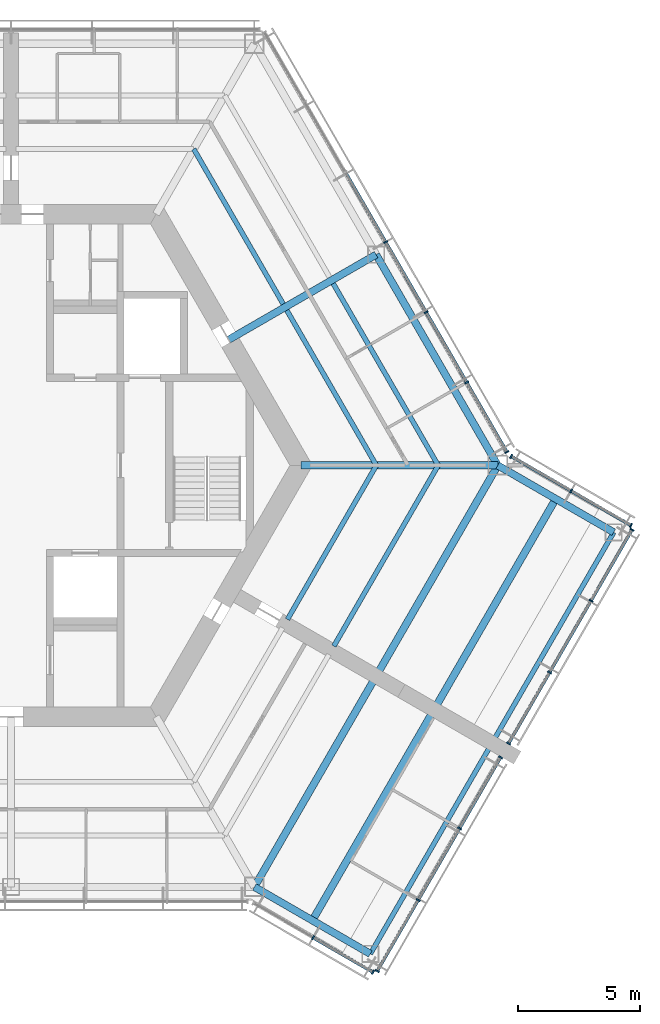
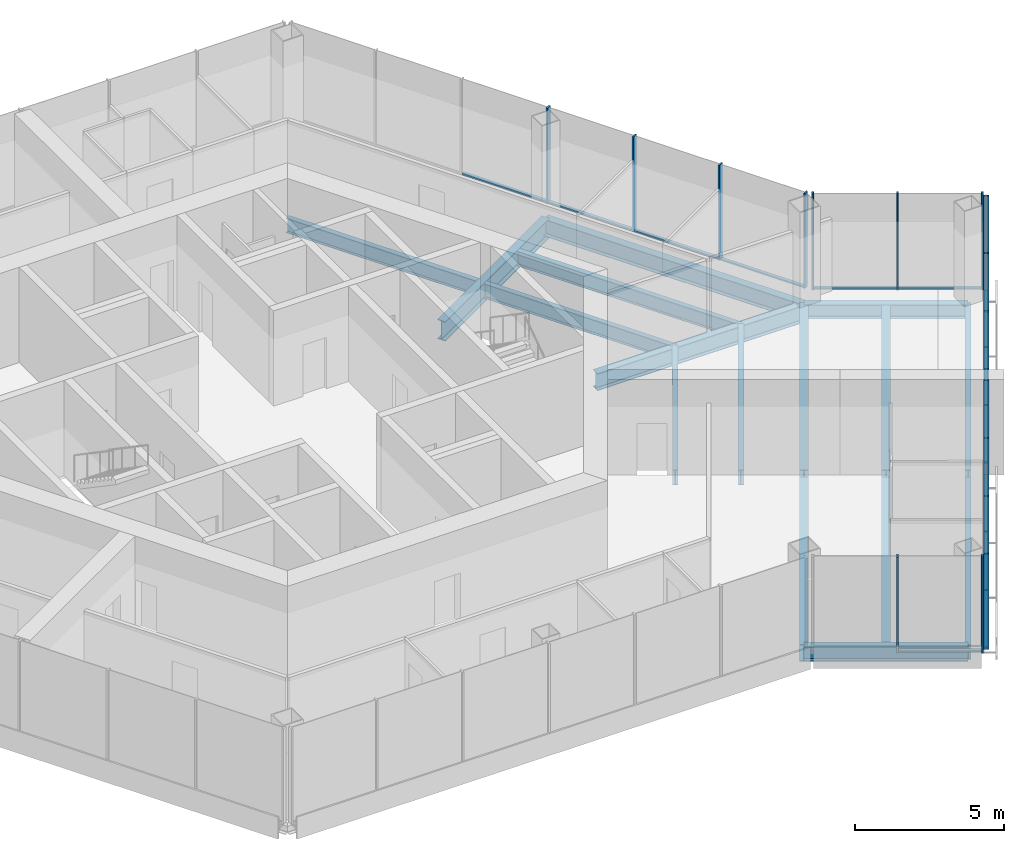
# One storey, part 4 of 13: 30 members, 16 beams, 5 elements without a shape of their own.
"""IFC4 building model written with IfcOpenShell, lengths in metres."""

from ifc_helpers import new_model, si_unit, direction, frame, origin, origin_2d, place, context, subcontext, project, spatial, rectangle, i_section, extrude, material, material_profile, profile_set, type_object, element, aggregate, save


model = new_model("IFC4")

# Units and contexts
model_context = context("Model", 3, precision=1e-05, world=origin(), true_north=direction((0.0, 1.0)))
body_context = subcontext(model_context, "Body", "Model", "MODEL_VIEW")
ifc_project = project(units=[si_unit("LENGTHUNIT", "METRE"), si_unit("AREAUNIT", "SQUARE_METRE"), si_unit("VOLUMEUNIT", "CUBIC_METRE"), si_unit("PLANEANGLEUNIT", "RADIAN"), si_unit("MASSUNIT", "GRAM", prefix="KILO")], contexts=[model_context])

# Site, building, storey
site_placement = place(None, origin())
site = spatial("IfcSite", under=ifc_project, at=site_placement, CompositionType="ELEMENT")
building_placement = place(site_placement, origin())
building = spatial("IfcBuilding", under=site, at=building_placement, Name="Kasaneha Research Tower", CompositionType="ELEMENT")
storey_placement = place(building_placement, frame((0.0, 0.0, 286.89990234375)))
storey = spatial("IfcBuildingStorey", under=building, at=storey_placement, Name="L72", CompositionType="ELEMENT", Elevation=286.89990234375)

# Beams
ifc_material_1 = material(Name="Steel SN490B", Category="steel")
ifc_material_profile_1 = material_profile(ifc_material_1, i_section(OverallWidth=0.199951171875, OverallDepth=0.60009765625, WebThickness=0.010986328125, FlangeThickness=0.01708984375, FilletRadius=0.012939453125, at=origin_2d()), Name="H-600x200x11x17")
ifc_profile_set_1 = profile_set([ifc_material_profile_1], Name="Steel SN490B")
beam_type_1 = type_object("IfcBeamType", Name="B1-3 secondary beam H-600x200x11x17", PredefinedType="JOIST", material=ifc_profile_set_1)
beam_1_placement = place(storey_placement, frame((15.010986328125, 0.0, -0.449951171875), z_axis=(-0.499994443168, 0.866028611999, 0.0), x_axis=(-0.866028611999, -0.499994443168, 0.0)))
element("IfcBeam", 1, at=beam_1_placement, inside=storey, type_object=beam_type_1, Name="Secondary beam RS030L1 L72", PredefinedType="JOIST", context=body_context, shape_type="SweptSolid", body=[
    extrude(i_section(OverallWidth=0.199951171875, OverallDepth=0.60009765625, WebThickness=0.010986328125, FlangeThickness=0.01708984375, FilletRadius=0.012939453125, at=origin_2d()), origin(), (0.0, 0.0, 1.0), 7.35546875),
])
beam_2_placement = place(storey_placement, frame((17.551513671875, 0.0, -0.449951171875), z_axis=(-0.5000050195, 0.866022505755, 0.0), x_axis=(-0.866022505755, -0.5000050195, 0.0)))
element("IfcBeam", 2, at=beam_2_placement, inside=storey, type_object=beam_type_1, Name="Secondary beam RS030L2 L72", PredefinedType="JOIST", context=body_context, shape_type="SweptSolid", body=[
    extrude(i_section(OverallWidth=0.199951171875, OverallDepth=0.60009765625, WebThickness=0.010986328125, FlangeThickness=0.01708984375, FilletRadius=0.012939453125, at=origin_2d()), origin(), (0.0, 0.0, 1.0), 8.6259765625),
])
beam_3_placement = place(storey_placement, frame((7.505615234375, 13.0, -0.449951171875), z_axis=(0.499994443168, -0.866028611999, 0.0), x_axis=(0.866028611999, 0.499994443168, 0.0)))
element("IfcBeam", 3, at=beam_3_placement, inside=storey, type_object=beam_type_1, Name="Secondary beam RS030R1 L72", PredefinedType="JOIST", context=body_context, shape_type="SweptSolid", body=[
    extrude(i_section(OverallWidth=0.199951171875, OverallDepth=0.60009765625, WebThickness=0.010986328125, FlangeThickness=0.01708984375, FilletRadius=0.012939453125, at=origin_2d()), origin(), (0.0, 0.0, 1.0), 7.35546875),
])
beam_4_placement = place(storey_placement, frame((15.010986328125, 0.0, -0.449951171875), z_axis=(-0.499974128195, -0.866040340363, 0.0), x_axis=(0.866040340363, -0.499974128195, 0.0)))
element("IfcBeam", 4, at=beam_4_placement, inside=storey, type_object=beam_type_1, Name="Secondary beam RS330R1 L72", PredefinedType="JOIST", context=body_context, shape_type="SweptSolid", body=[
    extrude(i_section(OverallWidth=0.199951171875, OverallDepth=0.60009765625, WebThickness=0.010986328125, FlangeThickness=0.01708984375, FilletRadius=0.012939453125, at=origin_2d()), origin(), (0.0, 0.0, 1.0), 7.3056640625),
])
beam_5_placement = place(storey_placement, frame((17.551513671875, 0.0, -0.449951171875), z_axis=(-0.500000102728, -0.866025344474, 0.0), x_axis=(0.866025344474, -0.500000102728, 0.0)))
element("IfcBeam", 5, at=beam_5_placement, inside=storey, type_object=beam_type_1, Name="Secondary beam RS330R2 L72", PredefinedType="JOIST", context=body_context, shape_type="SweptSolid", body=[
    extrude(i_section(OverallWidth=0.199951171875, OverallDepth=0.60009765625, WebThickness=0.010986328125, FlangeThickness=0.01708984375, FilletRadius=0.012939453125, at=origin_2d()), origin(), (0.0, 0.0, 1.0), 8.57568359375),
])
ifc_material_2 = material(Name="Steel SN490B", Category="steel")
ifc_material_profile_2 = material_profile(ifc_material_2, i_section(OverallWidth=0.300048828125, OverallDepth=0.58203125, WebThickness=0.011962890625, FlangeThickness=0.01708984375, FilletRadius=0.012939453125, at=origin_2d()), Name="H-582x300x12x17")
ifc_profile_set_2 = profile_set([ifc_material_profile_2], Name="Steel SN490B")
beam_type_2 = type_object("IfcBeamType", Name="B2-3 secondary beam H-582x300x12x17", PredefinedType="JOIST", material=ifc_profile_set_2)
for number, where, z_axis, x_axis, name in (
    (6, (12.381591796875, -18.695556640625, -0.44091796875), (0.49999201416, 0.866030014362, 0.0), (-0.866030014362, 0.49999201416, 0.0), "Secondary beam WBCP1 L72"),
    (7, (22.381591796875, -1.375, -0.44091796875), (-0.49999201416, -0.866030014362, 0.0), (0.866030014362, -0.49999201416, 0.0), "Secondary beam WBCN1 L72"),
):
    element("IfcBeam", number, at=place(storey_placement, frame(where, z_axis=z_axis, x_axis=x_axis)), inside=storey, type_object=beam_type_2, Name=name, PredefinedType="JOIST", context=body_context, shape_type="SweptSolid", body=[
        extrude(i_section(OverallWidth=0.300048828125, OverallDepth=0.58203125, WebThickness=0.011962890625, FlangeThickness=0.01708984375, FilletRadius=0.012939453125, at=origin_2d()), origin(), (0.0, 0.0, 1.0), 9.800048828125),
    ])

# Curtain wall, members
ifc_material_3 = material(Name="Glass and aluminium", Category="aluminium")
curtain_wall_type = type_object("IfcCurtainWallType", Name="Crown curtain wall", PredefinedType="USERDEFINED", material=ifc_material_3)
curtain_wall_1_placement = place(storey_placement, origin())
curtain_wall_1 = element("IfcCurtainWall", 8, at=curtain_wall_1_placement, inside=storey, type_object=curtain_wall_type, Name="CW-C L72 run 01a", ObjectType="UNITISED CURTAIN WALL", PredefinedType="USERDEFINED")
ifc_material_4 = material(Name="Aluminium 6063-T6", Category="aluminium")
ifc_material_profile_3 = material_profile(ifc_material_4, rectangle(XDim=0.06005859375, YDim=0.179931640625, at=origin_2d()), Name="CW-C mullion 60x180")
ifc_profile_set_3 = profile_set([ifc_material_profile_3], Name="Aluminium 6063-T6")
member_type_1 = type_object("IfcMemberType", Name="CW-C mullion", PredefinedType="MULLION", material=ifc_profile_set_3)
member_1_placement = place(storey_placement, frame((20.374267578125, 0.5517578125, 0.0), z_axis=(0.0, 0.0, 1.0), x_axis=(-0.499999979232, 0.866025415775, 0.0)))
member_1 = element("IfcMember", 9, at=member_1_placement, type_object=member_type_1, Name="CW-C mullion 1", PredefinedType="MULLION", context=body_context, shape_type="SweptSolid", body=[
    extrude(rectangle(XDim=0.06005859375, YDim=0.179931640625, at=origin_2d()), origin(), (0.0, 0.0, 1.0), 3.900146484375),
])
member_2_placement = place(storey_placement, frame((18.723876953125, 3.410400390625, 0.0), z_axis=(0.0, 0.0, 1.0), x_axis=(-0.499999979232, 0.866025415775, 0.0)))
member_2 = element("IfcMember", 10, at=member_2_placement, type_object=member_type_1, Name="CW-C mullion 2", PredefinedType="MULLION", context=body_context, shape_type="SweptSolid", body=[
    extrude(rectangle(XDim=0.06005859375, YDim=0.179931640625, at=origin_2d()), origin(), (0.0, 0.0, 1.0), 3.900146484375),
])
member_3_placement = place(storey_placement, frame((17.058349609375, 6.295166015625, 0.0), z_axis=(0.0, 0.0, 1.0), x_axis=(-0.499999979232, 0.866025415775, 0.0)))
member_3 = element("IfcMember", 11, at=member_3_placement, type_object=member_type_1, Name="CW-C mullion 3", PredefinedType="MULLION", context=body_context, shape_type="SweptSolid", body=[
    extrude(rectangle(XDim=0.06005859375, YDim=0.179931640625, at=origin_2d()), origin(), (0.0, 0.0, 1.0), 3.900146484375),
])
member_4_placement = place(storey_placement, frame((15.392822265625, 9.179931640625, 0.0), z_axis=(0.0, 0.0, 1.0), x_axis=(-0.499999979232, 0.866025415775, 0.0)))
member_4 = element("IfcMember", 12, at=member_4_placement, type_object=member_type_1, Name="CW-C mullion 4", PredefinedType="MULLION", context=body_context, shape_type="SweptSolid", body=[
    extrude(rectangle(XDim=0.06005859375, YDim=0.179931640625, at=origin_2d()), origin(), (0.0, 0.0, 1.0), 3.900146484375),
])

curtain_wall_2_placement = place(storey_placement, origin())
curtain_wall_2 = element("IfcCurtainWall", 13, at=curtain_wall_2_placement, inside=storey, type_object=curtain_wall_type, Name="CW-C L72 run 06a", ObjectType="UNITISED CURTAIN WALL", PredefinedType="USERDEFINED")
member_5_placement = place(storey_placement, frame((12.410888671875, -19.4052734375, 0.0), z_axis=(0.0, 0.0, 1.0), x_axis=(0.866025443395, -0.499999931393, 0.0)))
member_5 = element("IfcMember", 14, at=member_5_placement, type_object=member_type_1, Name="CW-C mullion 2", PredefinedType="MULLION", context=body_context, shape_type="SweptSolid", body=[
    extrude(rectangle(XDim=0.06005859375, YDim=0.179931640625, at=origin_2d()), origin(), (0.0, 0.0, 1.0), 3.900146484375),
])
member_6_placement = place(storey_placement, frame((14.8701171875, -20.8251953125, 0.0), z_axis=(0.0, 0.0, 1.0), x_axis=(0.866025443395, -0.499999931393, 0.0)))
member_6 = element("IfcMember", 15, at=member_6_placement, type_object=member_type_1, Name="CW-C mullion 3", PredefinedType="MULLION", context=body_context, shape_type="SweptSolid", body=[
    extrude(rectangle(XDim=0.06005859375, YDim=0.179931640625, at=origin_2d()), origin(), (0.0, 0.0, 1.0), 3.900146484375),
])

curtain_wall_3_placement = place(storey_placement, origin())
curtain_wall_3 = element("IfcCurtainWall", 16, at=curtain_wall_3_placement, inside=storey, type_object=curtain_wall_type, Name="CW-C L72 run 07a", ObjectType="UNITISED CURTAIN WALL", PredefinedType="USERDEFINED")
member_7_placement = place(storey_placement, frame((15.0478515625, -20.777587890625, 0.0), z_axis=(0.0, 0.0, 1.0), x_axis=(0.500000011442, 0.866025397178, 0.0)))
member_7 = element("IfcMember", 17, at=member_7_placement, type_object=member_type_1, Name="CW-C mullion 1", PredefinedType="MULLION", context=body_context, shape_type="SweptSolid", body=[
    extrude(rectangle(XDim=0.06005859375, YDim=0.179931640625, at=origin_2d()), origin(), (0.0, 0.0, 1.0), 3.900146484375),
])
member_8_placement = place(storey_placement, frame((16.732666015625, -17.859130859375, 0.0), z_axis=(0.0, 0.0, 1.0), x_axis=(0.500000011442, 0.866025397178, 0.0)))
member_8 = element("IfcMember", 18, at=member_8_placement, type_object=member_type_1, Name="CW-C mullion 2", PredefinedType="MULLION", context=body_context, shape_type="SweptSolid", body=[
    extrude(rectangle(XDim=0.06005859375, YDim=0.179931640625, at=origin_2d()), origin(), (0.0, 0.0, 1.0), 3.900146484375),
])
member_9_placement = place(storey_placement, frame((18.432861328125, -14.91455078125, 0.0), z_axis=(0.0, 0.0, 1.0), x_axis=(0.500000011442, 0.866025397178, 0.0)))
member_9 = element("IfcMember", 19, at=member_9_placement, type_object=member_type_1, Name="CW-C mullion 3", PredefinedType="MULLION", context=body_context, shape_type="SweptSolid", body=[
    extrude(rectangle(XDim=0.06005859375, YDim=0.179931640625, at=origin_2d()), origin(), (0.0, 0.0, 1.0), 3.900146484375),
])
member_10_placement = place(storey_placement, frame((20.11767578125, -11.99609375, 0.0), z_axis=(0.0, 0.0, 1.0), x_axis=(0.500000011442, 0.866025397178, 0.0)))
member_10 = element("IfcMember", 20, at=member_10_placement, type_object=member_type_1, Name="CW-C mullion 4", PredefinedType="MULLION", context=body_context, shape_type="SweptSolid", body=[
    extrude(rectangle(XDim=0.06005859375, YDim=0.179931640625, at=origin_2d()), origin(), (0.0, 0.0, 1.0), 3.900146484375),
])

curtain_wall_4_placement = place(storey_placement, origin())
curtain_wall_4 = element("IfcCurtainWall", 21, at=curtain_wall_4_placement, inside=storey, type_object=curtain_wall_type, Name="CW-C L72 run 08a", ObjectType="UNITISED CURTAIN WALL", PredefinedType="USERDEFINED")
member_11_placement = place(storey_placement, frame((20.44775390625, -11.424560546875, 0.0), z_axis=(0.0, 0.0, 1.0), x_axis=(0.500000011442, 0.866025397178, 0.0)))
member_11 = element("IfcMember", 22, at=member_11_placement, type_object=member_type_1, Name="CW-C mullion 1", PredefinedType="MULLION", context=body_context, shape_type="SweptSolid", body=[
    extrude(rectangle(XDim=0.06005859375, YDim=0.179931640625, at=origin_2d()), origin(), (0.0, 0.0, 1.0), 3.900146484375),
])
member_12_placement = place(storey_placement, frame((22.1328125, -8.505859375, 0.0), z_axis=(0.0, 0.0, 1.0), x_axis=(0.500000011442, 0.866025397178, 0.0)))
member_12 = element("IfcMember", 23, at=member_12_placement, type_object=member_type_1, Name="CW-C mullion 2", PredefinedType="MULLION", context=body_context, shape_type="SweptSolid", body=[
    extrude(rectangle(XDim=0.06005859375, YDim=0.179931640625, at=origin_2d()), origin(), (0.0, 0.0, 1.0), 3.900146484375),
])
member_13_placement = place(storey_placement, frame((23.832763671875, -5.5615234375, 0.0), z_axis=(0.0, 0.0, 1.0), x_axis=(0.500000011442, 0.866025397178, 0.0)))
member_13 = element("IfcMember", 24, at=member_13_placement, type_object=member_type_1, Name="CW-C mullion 3", PredefinedType="MULLION", context=body_context, shape_type="SweptSolid", body=[
    extrude(rectangle(XDim=0.06005859375, YDim=0.179931640625, at=origin_2d()), origin(), (0.0, 0.0, 1.0), 3.900146484375),
])
member_14_placement = place(storey_placement, frame((25.517822265625, -2.64306640625, 0.0), z_axis=(0.0, 0.0, 1.0), x_axis=(0.500000011442, 0.866025397178, 0.0)))
member_14 = element("IfcMember", 25, at=member_14_placement, type_object=member_type_1, Name="CW-C mullion 4", PredefinedType="MULLION", context=body_context, shape_type="SweptSolid", body=[
    extrude(rectangle(XDim=0.06005859375, YDim=0.179931640625, at=origin_2d()), origin(), (0.0, 0.0, 1.0), 3.900146484375),
])

curtain_wall_5_placement = place(storey_placement, origin())
curtain_wall_5 = element("IfcCurtainWall", 26, at=curtain_wall_5_placement, inside=storey, type_object=curtain_wall_type, Name="CW-C L72 run 09a", ObjectType="UNITISED CURTAIN WALL", PredefinedType="USERDEFINED")
member_15_placement = place(storey_placement, frame((25.47021484375, -2.46533203125, 0.0), z_axis=(0.0, 0.0, 1.0), x_axis=(-0.866025443395, 0.499999931393, 0.0)))
member_15 = element("IfcMember", 27, at=member_15_placement, type_object=member_type_1, Name="CW-C mullion 1", PredefinedType="MULLION", context=body_context, shape_type="SweptSolid", body=[
    extrude(rectangle(XDim=0.06005859375, YDim=0.179931640625, at=origin_2d()), origin(), (0.0, 0.0, 1.0), 3.900146484375),
])
member_16_placement = place(storey_placement, frame((23.010986328125, -1.045654296875, 0.0), z_axis=(0.0, 0.0, 1.0), x_axis=(-0.866025443395, 0.499999931393, 0.0)))
member_16 = element("IfcMember", 28, at=member_16_placement, type_object=member_type_1, Name="CW-C mullion 2", PredefinedType="MULLION", context=body_context, shape_type="SweptSolid", body=[
    extrude(rectangle(XDim=0.06005859375, YDim=0.179931640625, at=origin_2d()), origin(), (0.0, 0.0, 1.0), 3.900146484375),
])
member_17_placement = place(storey_placement, frame((20.5517578125, 0.374267578125, 0.0), z_axis=(0.0, 0.0, 1.0), x_axis=(-0.866025443395, 0.499999931393, 0.0)))
member_17 = element("IfcMember", 29, at=member_17_placement, type_object=member_type_1, Name="CW-C mullion 3", PredefinedType="MULLION", context=body_context, shape_type="SweptSolid", body=[
    extrude(rectangle(XDim=0.06005859375, YDim=0.179931640625, at=origin_2d()), origin(), (0.0, 0.0, 1.0), 3.900146484375),
])

# Member
ifc_material_5 = material(Name="Aluminium 6063-T6", Category="aluminium")
ifc_material_profile_4 = material_profile(ifc_material_5, rectangle(XDim=0.1298828125, YDim=0.06005859375, at=origin_2d()), Name="CW-C transom 130x60")
ifc_profile_set_4 = profile_set([ifc_material_profile_4], Name="Aluminium 6063-T6")
member_type_2 = type_object("IfcMemberType", Name="CW-C transom", PredefinedType="USERDEFINED", material=ifc_profile_set_4)
member_18_placement = place(storey_placement, frame((20.359130859375, 0.577880859375, 0.030029296875), z_axis=(-0.499987643696, 0.866032537582, 0.0), x_axis=(-0.866032537582, -0.499987643696, 0.0)))
member_18 = element("IfcMember", 30, at=member_18_placement, type_object=member_type_2, Name="CW-C transom 1", ObjectType="TRANSOM", PredefinedType="USERDEFINED", context=body_context, shape_type="SweptSolid", body=[
    extrude(rectangle(XDim=0.1298828125, YDim=0.06005859375, at=origin_2d()), origin(), (0.0, 0.0, 1.0), 3.24072265625),
])

member_19_placement = place(storey_placement, frame((18.708740234375, 3.4365234375, 0.030029296875), z_axis=(-0.500000270186, 0.866025247793, 0.0), x_axis=(-0.866025247793, -0.500000270186, 0.0)))
member_19 = element("IfcMember", 31, at=member_19_placement, type_object=member_type_2, Name="CW-C transom 2", ObjectType="TRANSOM", PredefinedType="USERDEFINED", context=body_context, shape_type="SweptSolid", body=[
    extrude(rectangle(XDim=0.1298828125, YDim=0.06005859375, at=origin_2d()), origin(), (0.0, 0.0, 1.0), 3.27099609375),
])

member_20_placement = place(storey_placement, frame((17.043212890625, 6.3212890625, 0.030029296875), z_axis=(-0.50003259116, 0.866006586452, 0.0), x_axis=(-0.866006586452, -0.50003259116, 0.0)))
member_20 = element("IfcMember", 32, at=member_20_placement, type_object=member_type_2, Name="CW-C transom 3", ObjectType="TRANSOM", PredefinedType="USERDEFINED", context=body_context, shape_type="SweptSolid", body=[
    extrude(rectangle(XDim=0.1298828125, YDim=0.06005859375, at=origin_2d()), origin(), (0.0, 0.0, 1.0), 3.270751953125),
])

member_21_placement = place(storey_placement, frame((15.3779296875, 9.205810546875, 0.030029296875), z_axis=(-0.500000270186, 0.866025247793, 0.0), x_axis=(-0.866025247793, -0.500000270186, 0.0)))
member_21 = element("IfcMember", 33, at=member_21_placement, type_object=member_type_2, Name="CW-C transom 4", ObjectType="TRANSOM", PredefinedType="USERDEFINED", context=body_context, shape_type="SweptSolid", body=[
    extrude(rectangle(XDim=0.1298828125, YDim=0.06005859375, at=origin_2d()), origin(), (0.0, 0.0, 1.0), 3.27099609375),
])

aggregate(curtain_wall_1, [member_1, member_2, member_3, member_4, member_18, member_19, member_20, member_21])

member_22_placement = place(storey_placement, frame((12.43701171875, -19.42041015625, 0.030029296875), z_axis=(0.866051024128, -0.499955621637, 0.0), x_axis=(0.499955621637, 0.866051024128, 0.0)))
member_22 = element("IfcMember", 34, at=member_22_placement, type_object=member_type_2, Name="CW-C transom 2", ObjectType="TRANSOM", PredefinedType="USERDEFINED", context=body_context, shape_type="SweptSolid", body=[
    extrude(rectangle(XDim=0.1298828125, YDim=0.06005859375, at=origin_2d()), origin(), (0.0, 0.0, 1.0), 2.779541015625),
])

aggregate(curtain_wall_2, [member_5, member_6, member_22])

member_23_placement = place(storey_placement, frame((15.062744140625, -20.75146484375, 0.030029296875), z_axis=(0.500018282537, 0.866014848099, 0.0), x_axis=(-0.866014848099, 0.500018282537, 0.0)))
member_23 = element("IfcMember", 35, at=member_23_placement, type_object=member_type_2, Name="CW-C transom 1", ObjectType="TRANSOM", PredefinedType="USERDEFINED", context=body_context, shape_type="SweptSolid", body=[
    extrude(rectangle(XDim=0.1298828125, YDim=0.06005859375, at=origin_2d()), origin(), (0.0, 0.0, 1.0), 3.31005859375),
])

member_24_placement = place(storey_placement, frame((16.747802734375, -17.8330078125, 0.030029296875), z_axis=(0.499975549825, 0.866039519639, 0.0), x_axis=(-0.866039519639, 0.499975549825, 0.0)))
member_24 = element("IfcMember", 36, at=member_24_placement, type_object=member_type_2, Name="CW-C transom 2", ObjectType="TRANSOM", PredefinedType="USERDEFINED", context=body_context, shape_type="SweptSolid", body=[
    extrude(rectangle(XDim=0.1298828125, YDim=0.06005859375, at=origin_2d()), origin(), (0.0, 0.0, 1.0), 3.340087890625),
])

member_25_placement = place(storey_placement, frame((18.44775390625, -14.888671875, 0.030029296875), z_axis=(0.49998634449, 0.866033287653, 0.0), x_axis=(-0.866033287653, 0.49998634449, 0.0)))
member_25 = element("IfcMember", 37, at=member_25_placement, type_object=member_type_2, Name="CW-C transom 3", ObjectType="TRANSOM", PredefinedType="USERDEFINED", context=body_context, shape_type="SweptSolid", body=[
    extrude(rectangle(XDim=0.1298828125, YDim=0.06005859375, at=origin_2d()), origin(), (0.0, 0.0, 1.0), 3.31005859375),
])

aggregate(curtain_wall_3, [member_7, member_8, member_9, member_10, member_23, member_24, member_25])

member_26_placement = place(storey_placement, frame((20.462646484375, -11.3984375, 0.030029296875), z_axis=(0.500018282537, 0.866014848099, 0.0), x_axis=(-0.866014848099, 0.500018282537, 0.0)))
member_26 = element("IfcMember", 38, at=member_26_placement, type_object=member_type_2, Name="CW-C transom 1", ObjectType="TRANSOM", PredefinedType="USERDEFINED", context=body_context, shape_type="SweptSolid", body=[
    extrude(rectangle(XDim=0.1298828125, YDim=0.06005859375, at=origin_2d()), origin(), (0.0, 0.0, 1.0), 3.31005859375),
])

member_27_placement = place(storey_placement, frame((22.147705078125, -8.47998046875, 0.030029296875), z_axis=(0.500030370488, 0.866007868665, 0.0), x_axis=(-0.866007868665, 0.500030370488, 0.0)))
member_27 = element("IfcMember", 39, at=member_27_placement, type_object=member_type_2, Name="CW-C transom 2", ObjectType="TRANSOM", PredefinedType="USERDEFINED", context=body_context, shape_type="SweptSolid", body=[
    extrude(rectangle(XDim=0.1298828125, YDim=0.06005859375, at=origin_2d()), origin(), (0.0, 0.0, 1.0), 3.340087890625),
])

member_28_placement = place(storey_placement, frame((23.84765625, -5.535400390625, 0.030029296875), z_axis=(0.500018282537, 0.866014848099, 0.0), x_axis=(-0.866014848099, 0.500018282537, 0.0)))
member_28 = element("IfcMember", 40, at=member_28_placement, type_object=member_type_2, Name="CW-C transom 3", ObjectType="TRANSOM", PredefinedType="USERDEFINED", context=body_context, shape_type="SweptSolid", body=[
    extrude(rectangle(XDim=0.1298828125, YDim=0.06005859375, at=origin_2d()), origin(), (0.0, 0.0, 1.0), 3.31005859375),
])

aggregate(curtain_wall_4, [member_11, member_12, member_13, member_14, member_26, member_27, member_28])

member_29_placement = place(storey_placement, frame((25.444091796875, -2.450439453125, 0.030029296875), z_axis=(-0.866012991964, 0.500021497287, 0.0), x_axis=(-0.500021497287, -0.866012991964, 0.0)))
member_29 = element("IfcMember", 41, at=member_29_placement, type_object=member_type_2, Name="CW-C transom 1", ObjectType="TRANSOM", PredefinedType="USERDEFINED", context=body_context, shape_type="SweptSolid", body=[
    extrude(rectangle(XDim=0.1298828125, YDim=0.06005859375, at=origin_2d()), origin(), (0.0, 0.0, 1.0), 2.77978515625),
])

member_30_placement = place(storey_placement, frame((22.985107421875, -1.030517578125, 0.030029296875), z_axis=(-0.866051024128, 0.499955621637, 0.0), x_axis=(-0.499955621637, -0.866051024128, 0.0)))
member_30 = element("IfcMember", 42, at=member_30_placement, type_object=member_type_2, Name="CW-C transom 2", ObjectType="TRANSOM", PredefinedType="USERDEFINED", context=body_context, shape_type="SweptSolid", body=[
    extrude(rectangle(XDim=0.1298828125, YDim=0.06005859375, at=origin_2d()), origin(), (0.0, 0.0, 1.0), 2.779541015625),
])

aggregate(curtain_wall_5, [member_15, member_16, member_17, member_29, member_30])

# Beams
ifc_material_6 = material(Name="Steel SN490B", Category="steel")
ifc_material_profile_5 = material_profile(ifc_material_6, i_section(OverallWidth=0.300048828125, OverallDepth=0.699951171875, WebThickness=0.012939453125, FlangeThickness=0.02392578125, FilletRadius=0.01806640625, at=origin_2d()), Name="H-700x300x13x24")
ifc_profile_set_5 = profile_set([ifc_material_profile_5], Name="Steel SN490B")
beam_type_3 = type_object("IfcBeamType", Name="G1-3 radial girder H-700x300x13x24", PredefinedType="BEAM", material=ifc_profile_set_5)
beam_6_placement = place(storey_placement, frame((11.92236328125, 0.0, -0.5), z_axis=(1.0, 0.0, 0.0), x_axis=(0.0, 1.0, 0.0)))
element("IfcBeam", 43, at=beam_6_placement, inside=storey, type_object=beam_type_3, Name="Radial girder RV000 L72", PredefinedType="BEAM", context=body_context, shape_type="SweptSolid", body=[
    extrude(i_section(OverallWidth=0.300048828125, OverallDepth=0.699951171875, WebThickness=0.012939453125, FlangeThickness=0.02392578125, FilletRadius=0.01806640625, at=origin_2d()), origin(), (0.0, 0.0, 1.0), 8.07763671875),
])
ifc_material_7 = material(Name="Steel SN490B", Category="steel")
ifc_material_profile_6 = material_profile(ifc_material_7, i_section(OverallWidth=0.300048828125, OverallDepth=0.800048828125, WebThickness=0.013916015625, FlangeThickness=0.02587890625, FilletRadius=0.01806640625, at=origin_2d()), Name="H-800x300x14x26")
ifc_profile_set_6 = profile_set([ifc_material_profile_6], Name="Steel SN490B")
beam_type_4 = type_object("IfcBeamType", Name="G2-3 radial girder H-800x300x14x26", PredefinedType="BEAM", material=ifc_profile_set_6)
beam_7_placement = place(storey_placement, frame((8.941650390625, 5.16259765625, -0.5498046875), z_axis=(0.866039713508, 0.499975214012, 0.0), x_axis=(-0.499975214012, 0.866039713508, 0.0)))
element("IfcBeam", 44, at=beam_7_placement, inside=storey, type_object=beam_type_4, Name="Radial girder RM030 L72", PredefinedType="BEAM", context=body_context, shape_type="SweptSolid", body=[
    extrude(i_section(OverallWidth=0.300048828125, OverallDepth=0.800048828125, WebThickness=0.013916015625, FlangeThickness=0.02587890625, FilletRadius=0.01806640625, at=origin_2d()), origin(), (0.0, 0.0, 1.0), 6.995361328125),
])
ifc_material_8 = material(Name="Steel SN490B", Category="steel")
ifc_material_profile_7 = material_profile(ifc_material_8, i_section(OverallWidth=0.300048828125, OverallDepth=0.69189453125, WebThickness=0.012939453125, FlangeThickness=0.02001953125, FilletRadius=0.01806640625, at=origin_2d()), Name="H-692x300x13x20")
ifc_profile_set_7 = profile_set([ifc_material_profile_7], Name="Steel SN490B")
beam_type_5 = type_object("IfcBeamType", Name="G3-3 plate edge girder H-692x300x13x20", PredefinedType="BEAM", material=ifc_profile_set_7)
for number, where, z_axis, x_axis, name in (
    (45, (10.0, -17.320556640625, -0.495849609375), (0.49999201416, 0.866030014362, 0.0), (-0.866030014362, 0.49999201416, 0.0), "Plate edge girder PECP L72"),
    (46, (20.0, 0.0, -0.495849609375), (-0.49999201416, -0.866030014362, 0.0), (0.866030014362, -0.49999201416, 0.0), "Plate edge girder PECN L72"),
):
    element("IfcBeam", number, at=place(storey_placement, frame(where, z_axis=z_axis, x_axis=x_axis)), inside=storey, type_object=beam_type_5, Name=name, PredefinedType="BEAM", context=body_context, shape_type="SweptSolid", body=[
        extrude(i_section(OverallWidth=0.300048828125, OverallDepth=0.69189453125, WebThickness=0.012939453125, FlangeThickness=0.02001953125, FilletRadius=0.01806640625, at=origin_2d()), origin(), (0.0, 0.0, 1.0), 9.800048828125),
    ])
ifc_material_9 = material(Name="Steel SN490B", Category="steel")
ifc_material_profile_8 = material_profile(ifc_material_9, i_section(OverallWidth=0.300048828125, OverallDepth=0.69189453125, WebThickness=0.012939453125, FlangeThickness=0.02001953125, FilletRadius=0.01806640625, at=origin_2d()), Name="H-692x300x13x20")
ifc_profile_set_8 = profile_set([ifc_material_profile_8], Name="Steel SN490B")
beam_type_6 = type_object("IfcBeamType", Name="SB1-3 spandrel beam H-692x300x13x20", PredefinedType="SPANDREL", material=ifc_profile_set_8)
beam_8_placement = place(storey_placement, frame((20.0, 0.0, -0.495849609375), z_axis=(-0.500004234368, 0.866022959057, 0.0), x_axis=(-0.866022959057, -0.500004234368, 0.0)))
element("IfcBeam", 47, at=beam_8_placement, inside=storey, type_object=beam_type_6, Name="Spandrel beam SR030L L72", PredefinedType="SPANDREL", context=body_context, shape_type="SweptSolid", body=[
    extrude(i_section(OverallWidth=0.300048828125, OverallDepth=0.69189453125, WebThickness=0.012939453125, FlangeThickness=0.02001953125, FilletRadius=0.01806640625, at=origin_2d()), origin(), (0.0, 0.0, 1.0), 10.0),
])
ifc_material_10 = material(Name="Steel SN490B", Category="steel")
ifc_material_profile_9 = material_profile(ifc_material_10, i_section(OverallWidth=0.300048828125, OverallDepth=0.58203125, WebThickness=0.011962890625, FlangeThickness=0.01708984375, FilletRadius=0.012939453125, at=origin_2d()), Name="H-582x300x12x17")
ifc_profile_set_9 = profile_set([ifc_material_profile_9], Name="Steel SN490B")
beam_type_7 = type_object("IfcBeamType", Name="SB2-3 spandrel beam H-582x300x12x17", PredefinedType="SPANDREL", material=ifc_profile_set_9)
for number, where, z_axis, x_axis, name in (
    (48, (10.0, -17.320556640625, -0.44091796875), (0.866027397988, -0.499996545922, 0.0), (0.499996545922, 0.866027397988, 0.0), "Spandrel beam WSCP1 L72"),
    (49, (20.0, 0.0, -0.44091796875), (0.866027397988, -0.499996545922, 0.0), (0.499996545922, 0.866027397988, 0.0), "Spandrel beam WSCN1 L72"),
):
    element("IfcBeam", number, at=place(storey_placement, frame(where, z_axis=z_axis, x_axis=x_axis)), inside=storey, type_object=beam_type_7, Name=name, PredefinedType="SPANDREL", context=body_context, shape_type="SweptSolid", body=[
        extrude(i_section(OverallWidth=0.300048828125, OverallDepth=0.58203125, WebThickness=0.011962890625, FlangeThickness=0.01708984375, FilletRadius=0.012939453125, at=origin_2d()), origin(), (0.0, 0.0, 1.0), 5.5),
    ])
ifc_material_11 = material(Name="Steel SN490B", Category="steel")
ifc_material_profile_10 = material_profile(ifc_material_11, i_section(OverallWidth=0.199951171875, OverallDepth=0.60009765625, WebThickness=0.010986328125, FlangeThickness=0.01708984375, FilletRadius=0.012939453125, at=origin_2d()), Name="H-600x200x11x17")
ifc_profile_set_10 = profile_set([ifc_material_profile_10], Name="Steel SN490B")
beam_type_8 = type_object("IfcBeamType", Name="SB3-3 spandrel beam H-600x200x11x17", PredefinedType="SPANDREL", material=ifc_profile_set_10)
for number, where, z_axis, x_axis, name in (
    (50, (14.76318359375, -20.070556640625, -0.449951171875), (0.49999201416, 0.866030014362, 0.0), (-0.866030014362, 0.49999201416, 0.0), "Spandrel beam WTCP L72"),
    (51, (24.76318359375, -2.75, -0.449951171875), (-0.500010698315, -0.866019227021, 0.0), (0.866019227021, -0.500010698315, 0.0), "Spandrel beam WTCN L72"),
):
    element("IfcBeam", number, at=place(storey_placement, frame(where, z_axis=z_axis, x_axis=x_axis)), inside=storey, type_object=beam_type_8, Name=name, PredefinedType="SPANDREL", context=body_context, shape_type="SweptSolid", body=[
        extrude(i_section(OverallWidth=0.199951171875, OverallDepth=0.60009765625, WebThickness=0.010986328125, FlangeThickness=0.01708984375, FilletRadius=0.012939453125, at=origin_2d()), origin(), (0.0, 0.0, 1.0), 9.800048828125),
    ])

save(model, "model.ifc")
